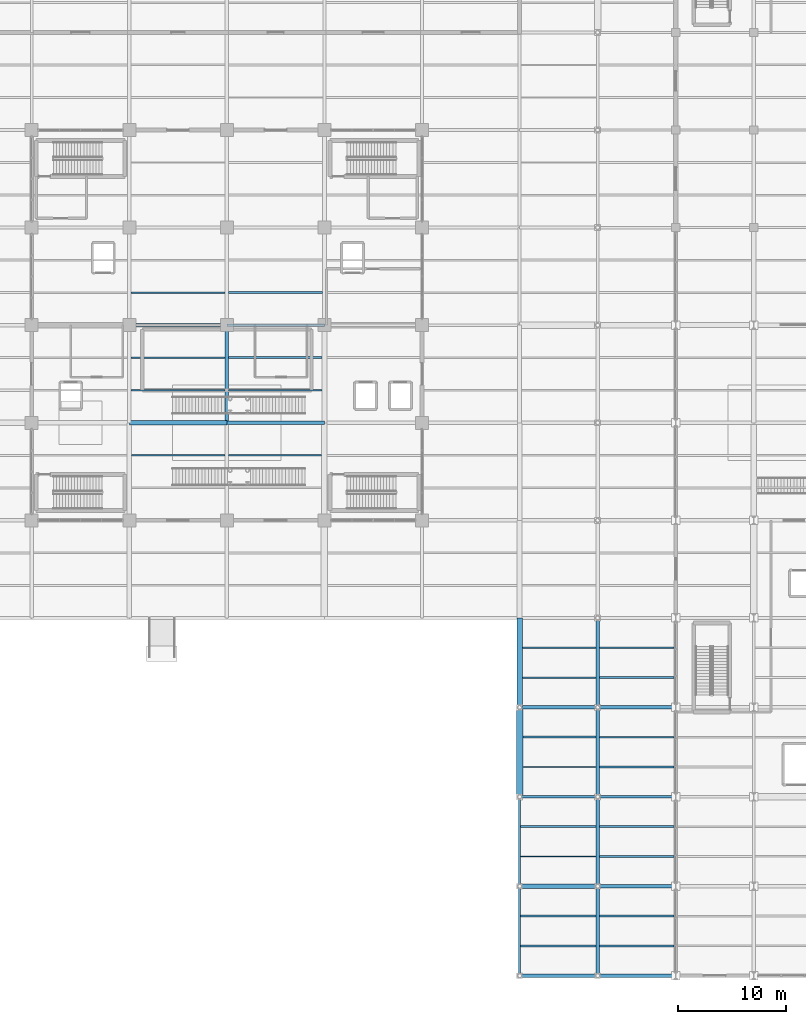
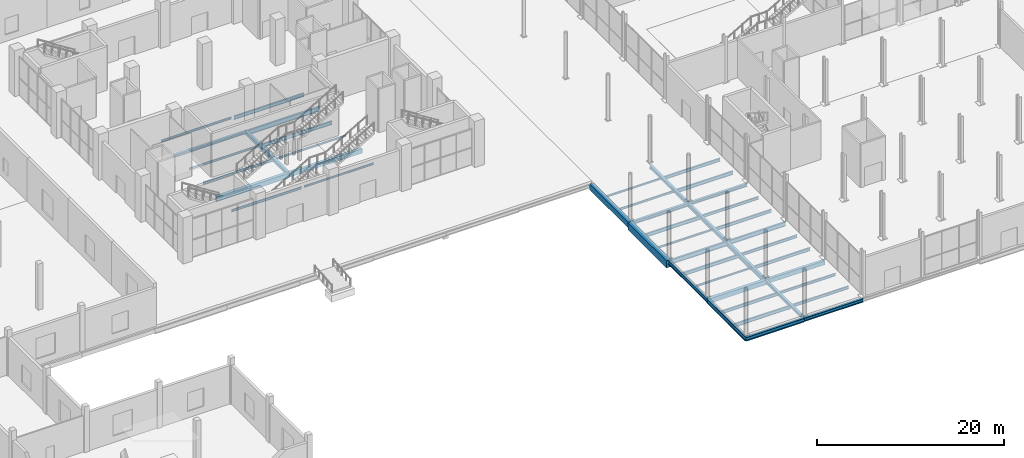
# One storey, part 23 of 144: 45 beams.
"""IFC4 building model written with IfcOpenShell, lengths in metres."""

from ifc_helpers import new_model, si_unit, direction, frame, origin, origin_2d, place, context, subcontext, project, spatial, rectangle, i_section, extrude, material, material_profile, profile_set, type_object, element, save


model = new_model("IFC4")

# Units and contexts
model_context = context("Model", 3, precision=1e-05, world=origin(), true_north=direction((0.0, 1.0)))
body_context = subcontext(model_context, "Body", "Model", "MODEL_VIEW")
ifc_project = project(units=[si_unit("LENGTHUNIT", "METRE"), si_unit("AREAUNIT", "SQUARE_METRE"), si_unit("VOLUMEUNIT", "CUBIC_METRE"), si_unit("PLANEANGLEUNIT", "RADIAN"), si_unit("MASSUNIT", "GRAM", prefix="KILO")], contexts=[model_context])

# Site, building, storey
site_placement = place(None, origin())
site = spatial("IfcSite", under=ifc_project, at=site_placement, CompositionType="ELEMENT")
building_placement = place(site_placement, origin())
building = spatial("IfcBuilding", under=site, at=building_placement, Name="Sundgate Opera House", CompositionType="ELEMENT")
storey_placement = place(building_placement, origin())
storey = spatial("IfcBuildingStorey", under=building, at=storey_placement, Name="L00", CompositionType="ELEMENT", Elevation=0.0)

# Beams
ifc_material_1 = material(Name="Steel S355J2", Category="steel")
ifc_material_profile_1 = material_profile(ifc_material_1, i_section(OverallWidth=0.300048828125, OverallDepth=0.330078125, WebThickness=0.009521484375, FlangeThickness=0.0166015625, at=origin_2d()), Name="HEA 340")
ifc_profile_set_1 = profile_set([ifc_material_profile_1], Name="Steel S355J2")
beam_type_1 = type_object("IfcBeamType", Name="BM-GR-HEA340", PredefinedType="BEAM", material=ifc_profile_set_1)
beam_1_placement = place(storey_placement, frame((45.0, 60.0, -0.485107421875), z_axis=(1.0, 0.0, 0.0), x_axis=(0.0, 1.0, 0.0)))
element("IfcBeam", 1, at=beam_1_placement, inside=storey, type_object=beam_type_1, Name="L00 Primary E-W Girder B0445", PredefinedType="BEAM", context=body_context, shape_type="SweptSolid", body=[
    extrude(i_section(OverallWidth=0.300048828125, OverallDepth=0.330078125, WebThickness=0.009521484375, FlangeThickness=0.0166015625, at=origin_2d()), origin(), (0.0, 0.0, 1.0), 9.0),
])
ifc_material_2 = material(Name="Steel S355J2", Category="steel")
ifc_material_profile_2 = material_profile(ifc_material_2, i_section(OverallWidth=0.300048828125, OverallDepth=0.43994140625, WebThickness=0.011474609375, FlangeThickness=0.02099609375, at=origin_2d()), Name="HEA 450")
ifc_profile_set_2 = profile_set([ifc_material_profile_2], Name="Steel S355J2")
beam_type_2 = type_object("IfcBeamType", Name="BM-GR-HEA450", PredefinedType="BEAM", material=ifc_profile_set_2)
beam_2_placement = place(storey_placement, frame((88.199951171875, 24.75, -0.5400390625), z_axis=(0.0, 1.0, 0.0), x_axis=(-1.0, 0.0, 0.0)))
element("IfcBeam", 2, at=beam_2_placement, inside=storey, type_object=beam_type_2, Name="L00 Primary N-S Girder B0179", PredefinedType="BEAM", context=body_context, shape_type="SweptSolid", body=[
    extrude(i_section(OverallWidth=0.300048828125, OverallDepth=0.43994140625, WebThickness=0.011474609375, FlangeThickness=0.02099609375, at=origin_2d()), origin(), (0.0, 0.0, 1.0), 8.25),
])
ifc_material_3 = material(Name="Steel S355J2", Category="steel")
ifc_material_profile_3 = material_profile(ifc_material_3, i_section(OverallWidth=0.300048828125, OverallDepth=0.489990234375, WebThickness=0.011962890625, FlangeThickness=0.02294921875, at=origin_2d()), Name="HEA 500")
ifc_profile_set_3 = profile_set([ifc_material_profile_3], Name="Steel S355J2")
beam_type_3 = type_object("IfcBeamType", Name="BM-GR-HEA500", PredefinedType="BEAM", material=ifc_profile_set_3)
beam_3_placement = place(storey_placement, frame((54.0, 51.0, -0.56494140625), z_axis=(0.0, 1.0, 0.0), x_axis=(-1.0, 0.0, 0.0)))
element("IfcBeam", 3, at=beam_3_placement, inside=storey, type_object=beam_type_3, Name="L00 Primary N-S Girder B0134", PredefinedType="BEAM", context=body_context, shape_type="SweptSolid", body=[
    extrude(i_section(OverallWidth=0.300048828125, OverallDepth=0.489990234375, WebThickness=0.011962890625, FlangeThickness=0.02294921875, at=origin_2d()), origin(), (0.0, 0.0, 1.0), 9.0),
])
beam_4_placement = place(storey_placement, frame((88.199951171875, 16.5, -0.56494140625), z_axis=(0.0, 1.0, 0.0), x_axis=(-1.0, 0.0, 0.0)))
element("IfcBeam", 4, at=beam_4_placement, inside=storey, type_object=beam_type_3, Name="L00 Primary N-S Girder B0178", PredefinedType="BEAM", context=body_context, shape_type="SweptSolid", body=[
    extrude(i_section(OverallWidth=0.300048828125, OverallDepth=0.489990234375, WebThickness=0.011962890625, FlangeThickness=0.02294921875, at=origin_2d()), origin(), (0.0, 0.0, 1.0), 8.25),
])
ifc_material_4 = material(Name="Steel S355J2", Category="steel")
ifc_material_profile_4 = material_profile(ifc_material_4, i_section(OverallWidth=0.300048828125, OverallDepth=0.590087890625, WebThickness=0.012939453125, FlangeThickness=0.02490234375, at=origin_2d()), Name="HEA 600")
ifc_profile_set_4 = profile_set([ifc_material_profile_4], Name="Steel S355J2")
beam_type_4 = type_object("IfcBeamType", Name="BM-GR-HEA600", PredefinedType="BEAM", material=ifc_profile_set_4)
beam_5_placement = place(storey_placement, frame((88.199951171875, 8.25, -0.614990234375), z_axis=(0.0, 1.0, 0.0), x_axis=(-1.0, 0.0, 0.0)))
element("IfcBeam", 5, at=beam_5_placement, inside=storey, type_object=beam_type_4, Name="L00 Primary N-S Girder B0177", PredefinedType="BEAM", context=body_context, shape_type="SweptSolid", body=[
    extrude(i_section(OverallWidth=0.300048828125, OverallDepth=0.590087890625, WebThickness=0.012939453125, FlangeThickness=0.02490234375, at=origin_2d()), origin(), (0.0, 0.0, 1.0), 8.25),
])
ifc_material_5 = material(Name="Steel S355J2", Category="steel")
ifc_material_profile_5 = material_profile(ifc_material_5, i_section(OverallWidth=0.300048828125, OverallDepth=0.360107421875, WebThickness=0.012451171875, FlangeThickness=0.0224609375, at=origin_2d()), Name="HEB 360")
ifc_profile_set_5 = profile_set([ifc_material_profile_5], Name="Steel S355J2")
beam_type_5 = type_object("IfcBeamType", Name="BM-GR-HEB360", PredefinedType="BEAM", material=ifc_profile_set_5)
beam_6_placement = place(storey_placement, frame((88.199951171875, 0.0, -0.5), z_axis=(0.0, 1.0, 0.0), x_axis=(-1.0, 0.0, 0.0)))
element("IfcBeam", 6, at=beam_6_placement, inside=storey, type_object=beam_type_5, Name="L00 Primary N-S Girder B0176", PredefinedType="BEAM", context=body_context, shape_type="SweptSolid", body=[
    extrude(i_section(OverallWidth=0.300048828125, OverallDepth=0.360107421875, WebThickness=0.012451171875, FlangeThickness=0.0224609375, at=origin_2d()), origin(), (0.0, 0.0, 1.0), 8.25),
])
beam_7_placement = place(storey_placement, frame((88.199951171875, 24.75, -0.5), z_axis=(1.0, 0.0, 0.0), x_axis=(0.0, 1.0, 0.0)))
element("IfcBeam", 7, at=beam_7_placement, inside=storey, type_object=beam_type_5, Name="L00 Primary E-W Girder B0373", PredefinedType="BEAM", context=body_context, shape_type="SweptSolid", body=[
    extrude(i_section(OverallWidth=0.300048828125, OverallDepth=0.360107421875, WebThickness=0.012451171875, FlangeThickness=0.0224609375, at=origin_2d()), origin(), (0.0, 0.0, 1.0), 7.199951171875),
])
ifc_material_6 = material(Name="Steel S355J2", Category="steel")
ifc_material_profile_6 = material_profile(ifc_material_6, i_section(OverallWidth=0.300048828125, OverallDepth=0.39990234375, WebThickness=0.013427734375, FlangeThickness=0.02392578125, at=origin_2d()), Name="HEB 400")
ifc_profile_set_6 = profile_set([ifc_material_profile_6], Name="Steel S355J2")
beam_type_6 = type_object("IfcBeamType", Name="BM-GR-HEB400", PredefinedType="BEAM", material=ifc_profile_set_6)
beam_8_placement = place(storey_placement, frame((81.0, 24.75, -0.52001953125), z_axis=(1.0, 0.0, 0.0), x_axis=(0.0, 1.0, 0.0)))
element("IfcBeam", 8, at=beam_8_placement, inside=storey, type_object=beam_type_6, Name="L00 Primary E-W Girder B0372", PredefinedType="BEAM", context=body_context, shape_type="SweptSolid", body=[
    extrude(i_section(OverallWidth=0.300048828125, OverallDepth=0.39990234375, WebThickness=0.013427734375, FlangeThickness=0.02392578125, at=origin_2d()), origin(), (0.0, 0.0, 1.0), 7.199951171875),
])
ifc_material_7 = material(Name="Steel S355J2", Category="steel")
ifc_material_profile_7 = material_profile(ifc_material_7, i_section(OverallWidth=0.300048828125, OverallDepth=0.449951171875, WebThickness=0.013916015625, FlangeThickness=0.02587890625, at=origin_2d()), Name="HEB 450")
ifc_profile_set_7 = profile_set([ifc_material_profile_7], Name="Steel S355J2")
beam_type_7 = type_object("IfcBeamType", Name="BM-GR-HEB450", PredefinedType="BEAM", material=ifc_profile_set_7)
beam_9_placement = place(storey_placement, frame((88.199951171875, 0.0, -0.544921875), z_axis=(1.0, 0.0, 0.0), x_axis=(0.0, 1.0, 0.0)))
element("IfcBeam", 9, at=beam_9_placement, inside=storey, type_object=beam_type_7, Name="L00 Primary E-W Girder B0327", PredefinedType="BEAM", context=body_context, shape_type="SweptSolid", body=[
    extrude(i_section(OverallWidth=0.300048828125, OverallDepth=0.449951171875, WebThickness=0.013916015625, FlangeThickness=0.02587890625, at=origin_2d()), origin(), (0.0, 0.0, 1.0), 7.199951171875),
])
ifc_material_8 = material(Name="Steel S355J2", Category="steel")
ifc_material_profile_8 = material_profile(ifc_material_8, i_section(OverallWidth=0.300048828125, OverallDepth=0.5, WebThickness=0.014404296875, FlangeThickness=0.028076171875, at=origin_2d()), Name="HEB 500")
ifc_profile_set_8 = profile_set([ifc_material_profile_8], Name="Steel S355J2")
beam_type_8 = type_object("IfcBeamType", Name="BM-GR-HEB500", PredefinedType="BEAM", material=ifc_profile_set_8)
beam_10_placement = place(storey_placement, frame((81.0, 0.0, -0.570068359375), z_axis=(1.0, 0.0, 0.0), x_axis=(0.0, 1.0, 0.0)))
element("IfcBeam", 10, at=beam_10_placement, inside=storey, type_object=beam_type_8, Name="L00 Primary E-W Girder B0326", PredefinedType="BEAM", context=body_context, shape_type="SweptSolid", body=[
    extrude(i_section(OverallWidth=0.300048828125, OverallDepth=0.5, WebThickness=0.014404296875, FlangeThickness=0.028076171875, at=origin_2d()), origin(), (0.0, 0.0, 1.0), 7.199951171875),
])
ifc_material_9 = material(Name="Steel S355J2", Category="steel")
ifc_material_profile_9 = material_profile(ifc_material_9, i_section(OverallWidth=0.199951171875, OverallDepth=0.5, WebThickness=0.01025390625, FlangeThickness=0.01611328125, at=origin_2d()), Name="IPE 500")
ifc_profile_set_9 = profile_set([ifc_material_profile_9], Name="Steel S355J2")
beam_type_9 = type_object("IfcBeamType", Name="BM-GR-IPE500", PredefinedType="BEAM", material=ifc_profile_set_9)
beam_11_placement = place(storey_placement, frame((81.0, 8.25, -0.570068359375), z_axis=(0.0, 1.0, 0.0), x_axis=(-1.0, 0.0, 0.0)))
element("IfcBeam", 11, at=beam_11_placement, inside=storey, type_object=beam_type_9, Name="L00 Primary N-S Girder B0163", PredefinedType="BEAM", context=body_context, shape_type="SweptSolid", body=[
    extrude(i_section(OverallWidth=0.199951171875, OverallDepth=0.5, WebThickness=0.01025390625, FlangeThickness=0.01611328125, at=origin_2d()), origin(), (0.0, 0.0, 1.0), 8.25),
])
ifc_material_10 = material(Name="Steel S355J2", Category="steel")
ifc_material_profile_10 = material_profile(ifc_material_10, i_section(OverallWidth=0.2099609375, OverallDepth=0.550048828125, WebThickness=0.010986328125, FlangeThickness=0.01708984375, at=origin_2d()), Name="IPE 550")
ifc_profile_set_10 = profile_set([ifc_material_profile_10], Name="Steel S355J2")
beam_type_10 = type_object("IfcBeamType", Name="BM-GR-IPE550", PredefinedType="BEAM", material=ifc_profile_set_10)
beam_12_placement = place(storey_placement, frame((81.0, 0.0, -0.594970703125), z_axis=(0.0, 1.0, 0.0), x_axis=(-1.0, 0.0, 0.0)))
element("IfcBeam", 12, at=beam_12_placement, inside=storey, type_object=beam_type_10, Name="L00 Primary N-S Girder B0162", PredefinedType="BEAM", context=body_context, shape_type="SweptSolid", body=[
    extrude(i_section(OverallWidth=0.2099609375, OverallDepth=0.550048828125, WebThickness=0.010986328125, FlangeThickness=0.01708984375, at=origin_2d()), origin(), (0.0, 0.0, 1.0), 8.25),
])
beam_13_placement = place(storey_placement, frame((88.199951171875, 16.5, -0.594970703125), z_axis=(1.0, 0.0, 0.0), x_axis=(0.0, 1.0, 0.0)))
element("IfcBeam", 13, at=beam_13_placement, inside=storey, type_object=beam_type_10, Name="L00 Primary E-W Girder B0359", PredefinedType="BEAM", context=body_context, shape_type="SweptSolid", body=[
    extrude(i_section(OverallWidth=0.2099609375, OverallDepth=0.550048828125, WebThickness=0.010986328125, FlangeThickness=0.01708984375, at=origin_2d()), origin(), (0.0, 0.0, 1.0), 7.199951171875),
])
ifc_material_11 = material(Name="Steel S355J2", Category="steel")
ifc_material_profile_11 = material_profile(ifc_material_11, i_section(OverallWidth=0.219970703125, OverallDepth=0.60009765625, WebThickness=0.011962890625, FlangeThickness=0.01904296875, at=origin_2d()), Name="IPE 600")
ifc_profile_set_11 = profile_set([ifc_material_profile_11], Name="Steel S355J2")
beam_type_11 = type_object("IfcBeamType", Name="BM-GR-IPE600", PredefinedType="BEAM", material=ifc_profile_set_11)
beam_14_placement = place(storey_placement, frame((81.0, 16.5, -0.6201171875), z_axis=(1.0, 0.0, 0.0), x_axis=(0.0, 1.0, 0.0)))
element("IfcBeam", 14, at=beam_14_placement, inside=storey, type_object=beam_type_11, Name="L00 Primary E-W Girder B0358", PredefinedType="BEAM", context=body_context, shape_type="SweptSolid", body=[
    extrude(i_section(OverallWidth=0.219970703125, OverallDepth=0.60009765625, WebThickness=0.011962890625, FlangeThickness=0.01904296875, at=origin_2d()), origin(), (0.0, 0.0, 1.0), 7.199951171875),
])
beam_15_placement = place(storey_placement, frame((54.0, 60.0, -0.6201171875), z_axis=(1.0, 0.0, 0.0), x_axis=(0.0, 1.0, 0.0)))
element("IfcBeam", 15, at=beam_15_placement, inside=storey, type_object=beam_type_11, Name="L00 Primary E-W Girder B0446", PredefinedType="BEAM", context=body_context, shape_type="SweptSolid", body=[
    extrude(i_section(OverallWidth=0.219970703125, OverallDepth=0.60009765625, WebThickness=0.011962890625, FlangeThickness=0.01904296875, at=origin_2d()), origin(), (0.0, 0.0, 1.0), 9.0),
])
ifc_material_12 = material(Name="Steel S355J2", Category="steel")
ifc_material_profile_12 = material_profile(ifc_material_12, i_section(OverallWidth=0.1201171875, OverallDepth=0.239990234375, WebThickness=0.006103515625, FlangeThickness=0.009765625, at=origin_2d()), Name="IPE 240")
ifc_profile_set_12 = profile_set([ifc_material_profile_12], Name="Steel S355J2")
beam_type_12 = type_object("IfcBeamType", Name="BM-JS-IPE240", PredefinedType="JOIST", material=ifc_profile_set_12)
beam_16_placement = place(storey_placement, frame((81.10009765625, 11.0, -0.43994140625), z_axis=(1.0, 0.0, 0.0), x_axis=(0.0, 1.0, 0.0)))
element("IfcBeam", 16, at=beam_16_placement, inside=storey, type_object=beam_type_12, Name="L00 Secondary Floor Joist B0629", PredefinedType="JOIST", context=body_context, shape_type="SweptSolid", body=[
    extrude(i_section(OverallWidth=0.1201171875, OverallDepth=0.239990234375, WebThickness=0.006103515625, FlangeThickness=0.009765625, at=origin_2d()), origin(), (0.0, 0.0, 1.0), 6.949951171875),
])
beam_17_placement = place(storey_placement, frame((81.300048828125, 19.25, -0.43994140625), z_axis=(1.0, 0.0, 0.0), x_axis=(0.0, 1.0, 0.0)))
element("IfcBeam", 17, at=beam_17_placement, inside=storey, type_object=beam_type_12, Name="L00 Secondary Floor Joist B0657", PredefinedType="JOIST", context=body_context, shape_type="SweptSolid", body=[
    extrude(i_section(OverallWidth=0.1201171875, OverallDepth=0.239990234375, WebThickness=0.006103515625, FlangeThickness=0.009765625, at=origin_2d()), origin(), (0.0, 0.0, 1.0), 6.75),
])
beam_18_placement = place(storey_placement, frame((81.25, 30.25, -0.43994140625), z_axis=(1.0, 0.0, 0.0), x_axis=(0.0, 1.0, 0.0)))
element("IfcBeam", 18, at=beam_18_placement, inside=storey, type_object=beam_type_12, Name="L00 Secondary Floor Joist B0685", PredefinedType="JOIST", context=body_context, shape_type="SweptSolid", body=[
    extrude(i_section(OverallWidth=0.1201171875, OverallDepth=0.239990234375, WebThickness=0.006103515625, FlangeThickness=0.009765625, at=origin_2d()), origin(), (0.0, 0.0, 1.0), 6.800048828125),
])
beam_19_placement = place(storey_placement, frame((54.14990234375, 48.0, -0.43994140625), z_axis=(1.0, 0.0, 0.0), x_axis=(0.0, 1.0, 0.0)))
element("IfcBeam", 19, at=beam_19_placement, inside=storey, type_object=beam_type_12, Name="L00 Secondary Floor Joist B0755", PredefinedType="JOIST", context=body_context, shape_type="SweptSolid", body=[
    extrude(i_section(OverallWidth=0.1201171875, OverallDepth=0.239990234375, WebThickness=0.006103515625, FlangeThickness=0.009765625, at=origin_2d()), origin(), (0.0, 0.0, 1.0), 8.60009765625),
])
beam_20_placement = place(storey_placement, frame((54.14990234375, 54.0, -0.43994140625), z_axis=(1.0, 0.0, 0.0), x_axis=(0.0, 1.0, 0.0)))
element("IfcBeam", 20, at=beam_20_placement, inside=storey, type_object=beam_type_12, Name="L00 Secondary Floor Joist B0783", PredefinedType="JOIST", context=body_context, shape_type="SweptSolid", body=[
    extrude(i_section(OverallWidth=0.1201171875, OverallDepth=0.239990234375, WebThickness=0.006103515625, FlangeThickness=0.009765625, at=origin_2d()), origin(), (0.0, 0.0, 1.0), 8.625),
])
ifc_material_13 = material(Name="Steel S355J2", Category="steel")
ifc_material_profile_13 = material_profile(ifc_material_13, i_section(OverallWidth=0.135009765625, OverallDepth=0.27001953125, WebThickness=0.006591796875, FlangeThickness=0.01025390625, at=origin_2d()), Name="IPE 270")
ifc_profile_set_13 = profile_set([ifc_material_profile_13], Name="Steel S355J2")
beam_type_13 = type_object("IfcBeamType", Name="BM-JS-IPE270", PredefinedType="JOIST", material=ifc_profile_set_13)
beam_21_placement = place(storey_placement, frame((81.25, 27.5, -0.455078125), z_axis=(1.0, 0.0, 0.0), x_axis=(0.0, 1.0, 0.0)))
element("IfcBeam", 21, at=beam_21_placement, inside=storey, type_object=beam_type_13, Name="L00 Secondary Floor Joist B0684", PredefinedType="JOIST", context=body_context, shape_type="SweptSolid", body=[
    extrude(i_section(OverallWidth=0.135009765625, OverallDepth=0.27001953125, WebThickness=0.006591796875, FlangeThickness=0.01025390625, at=origin_2d()), origin(), (0.0, 0.0, 1.0), 6.800048828125),
])
beam_22_placement = place(storey_placement, frame((45.175048828125, 57.0, -0.455078125), z_axis=(1.0, 0.0, 0.0), x_axis=(0.0, 1.0, 0.0)))
element("IfcBeam", 22, at=beam_22_placement, inside=storey, type_object=beam_type_13, Name="L00 Secondary Floor Joist B0782", PredefinedType="JOIST", context=body_context, shape_type="SweptSolid", body=[
    extrude(i_section(OverallWidth=0.135009765625, OverallDepth=0.27001953125, WebThickness=0.006591796875, FlangeThickness=0.01025390625, at=origin_2d()), origin(), (0.0, 0.0, 1.0), 8.675048828125),
])
beam_23_placement = place(storey_placement, frame((45.14990234375, 63.0, -0.455078125), z_axis=(1.0, 0.0, 0.0), x_axis=(0.0, 1.0, 0.0)))
element("IfcBeam", 23, at=beam_23_placement, inside=storey, type_object=beam_type_13, Name="L00 Secondary Floor Joist B0810", PredefinedType="JOIST", context=body_context, shape_type="SweptSolid", body=[
    extrude(i_section(OverallWidth=0.135009765625, OverallDepth=0.27001953125, WebThickness=0.006591796875, FlangeThickness=0.01025390625, at=origin_2d()), origin(), (0.0, 0.0, 1.0), 8.7001953125),
])
ifc_material_14 = material(Name="Steel S355J2", Category="steel")
ifc_material_profile_14 = material_profile(ifc_material_14, i_section(OverallWidth=0.14990234375, OverallDepth=0.300048828125, WebThickness=0.007080078125, FlangeThickness=0.0107421875, at=origin_2d()), Name="IPE 300")
ifc_profile_set_14 = profile_set([ifc_material_profile_14], Name="Steel S355J2")
beam_type_14 = type_object("IfcBeamType", Name="BM-JS-IPE300", PredefinedType="JOIST", material=ifc_profile_set_14)
beam_24_placement = place(storey_placement, frame((45.199951171875, 48.0, -0.469970703125), z_axis=(1.0, 0.0, 0.0), x_axis=(0.0, 1.0, 0.0)))
element("IfcBeam", 24, at=beam_24_placement, inside=storey, type_object=beam_type_14, Name="L00 Secondary Floor Joist B0753", PredefinedType="JOIST", context=body_context, shape_type="SweptSolid", body=[
    extrude(i_section(OverallWidth=0.14990234375, OverallDepth=0.300048828125, WebThickness=0.007080078125, FlangeThickness=0.0107421875, at=origin_2d()), origin(), (0.0, 0.0, 1.0), 8.650146484375),
])
beam_25_placement = place(storey_placement, frame((45.175048828125, 54.0, -0.469970703125), z_axis=(1.0, 0.0, 0.0), x_axis=(0.0, 1.0, 0.0)))
element("IfcBeam", 25, at=beam_25_placement, inside=storey, type_object=beam_type_14, Name="L00 Secondary Floor Joist B0781", PredefinedType="JOIST", context=body_context, shape_type="SweptSolid", body=[
    extrude(i_section(OverallWidth=0.14990234375, OverallDepth=0.300048828125, WebThickness=0.007080078125, FlangeThickness=0.0107421875, at=origin_2d()), origin(), (0.0, 0.0, 1.0), 8.675048828125),
])
ifc_material_15 = material(Name="Steel S355J2", Category="steel")
ifc_material_profile_15 = material_profile(ifc_material_15, i_section(OverallWidth=0.159912109375, OverallDepth=0.330078125, WebThickness=0.007568359375, FlangeThickness=0.011474609375, at=origin_2d()), Name="IPE 330")
ifc_profile_set_15 = profile_set([ifc_material_profile_15], Name="Steel S355J2")
beam_type_15 = type_object("IfcBeamType", Name="BM-JS-IPE330", PredefinedType="JOIST", material=ifc_profile_set_15)
beam_26_placement = place(storey_placement, frame((88.35009765625, 5.5, -0.485107421875), z_axis=(1.0, 0.0, 0.0), x_axis=(0.0, 1.0, 0.0)))
element("IfcBeam", 26, at=beam_26_placement, inside=storey, type_object=beam_type_15, Name="L00 Secondary Floor Joist B0612", PredefinedType="JOIST", context=body_context, shape_type="SweptSolid", body=[
    extrude(i_section(OverallWidth=0.159912109375, OverallDepth=0.330078125, WebThickness=0.007568359375, FlangeThickness=0.011474609375, at=origin_2d()), origin(), (0.0, 0.0, 1.0), 6.875),
])
ifc_material_16 = material(Name="Steel S355J2", Category="steel")
ifc_material_profile_16 = material_profile(ifc_material_16, i_section(OverallWidth=0.169921875, OverallDepth=0.360107421875, WebThickness=0.008056640625, FlangeThickness=0.0126953125, at=origin_2d()), Name="IPE 360")
ifc_profile_set_16 = profile_set([ifc_material_profile_16], Name="Steel S355J2")
beam_type_16 = type_object("IfcBeamType", Name="BM-JS-IPE360", PredefinedType="JOIST", material=ifc_profile_set_16)
beam_27_placement = place(storey_placement, frame((88.35009765625, 2.75, -0.5), z_axis=(1.0, 0.0, 0.0), x_axis=(0.0, 1.0, 0.0)))
element("IfcBeam", 27, at=beam_27_placement, inside=storey, type_object=beam_type_16, Name="L00 Secondary Floor Joist B0611", PredefinedType="JOIST", context=body_context, shape_type="SweptSolid", body=[
    extrude(i_section(OverallWidth=0.169921875, OverallDepth=0.360107421875, WebThickness=0.008056640625, FlangeThickness=0.0126953125, at=origin_2d()), origin(), (0.0, 0.0, 1.0), 6.875),
])
for number, where, z_axis, x_axis, name in (
    (28, (88.35009765625, 13.75, -0.5), (1.0, 0.0, 0.0), (0.0, 1.0, 0.0), "L00 Secondary Floor Joist B0632"),
    (29, (88.35009765625, 22.0, -0.5), (1.0, 0.0, 0.0), (0.0, 1.0, 0.0), "L00 Secondary Floor Joist B0660"),
):
    element("IfcBeam", number, at=place(storey_placement, frame(where, z_axis=z_axis, x_axis=x_axis)), inside=storey, type_object=beam_type_16, Name=name, PredefinedType="JOIST", context=body_context, shape_type="SweptSolid", body=[
        extrude(i_section(OverallWidth=0.169921875, OverallDepth=0.360107421875, WebThickness=0.008056640625, FlangeThickness=0.0126953125, at=origin_2d()), origin(), (0.0, 0.0, 1.0), 6.89990234375),
    ])
ifc_material_17 = material(Name="Steel S355J2", Category="steel")
ifc_material_profile_17 = material_profile(ifc_material_17, i_section(OverallWidth=0.179931640625, OverallDepth=0.39990234375, WebThickness=0.008544921875, FlangeThickness=0.013427734375, at=origin_2d()), Name="IPE 400")
ifc_profile_set_17 = profile_set([ifc_material_profile_17], Name="Steel S355J2")
beam_type_17 = type_object("IfcBeamType", Name="BM-JS-IPE400", PredefinedType="JOIST", material=ifc_profile_set_17)
beam_28_placement = place(storey_placement, frame((81.10498046875, 5.5, -0.52001953125), z_axis=(1.0, 0.0, 0.0), x_axis=(0.0, 1.0, 0.0)))
element("IfcBeam", 30, at=beam_28_placement, inside=storey, type_object=beam_type_17, Name="L00 Secondary Floor Joist B0610", PredefinedType="JOIST", context=body_context, shape_type="SweptSolid", body=[
    extrude(i_section(OverallWidth=0.179931640625, OverallDepth=0.39990234375, WebThickness=0.008544921875, FlangeThickness=0.013427734375, at=origin_2d()), origin(), (0.0, 0.0, 1.0), 6.945068359375),
])
for number, where, z_axis, x_axis, name in (
    (31, (88.35009765625, 11.0, -0.52001953125), (1.0, 0.0, 0.0), (0.0, 1.0, 0.0), "L00 Secondary Floor Joist B0631"),
    (32, (88.35009765625, 19.25, -0.52001953125), (1.0, 0.0, 0.0), (0.0, 1.0, 0.0), "L00 Secondary Floor Joist B0659"),
    (33, (88.35009765625, 30.25, -0.52001953125), (1.0, 0.0, 0.0), (0.0, 1.0, 0.0), "L00 Secondary Floor Joist B0687"),
):
    element("IfcBeam", number, at=place(storey_placement, frame(where, z_axis=z_axis, x_axis=x_axis)), inside=storey, type_object=beam_type_17, Name=name, PredefinedType="JOIST", context=body_context, shape_type="SweptSolid", body=[
        extrude(i_section(OverallWidth=0.179931640625, OverallDepth=0.39990234375, WebThickness=0.008544921875, FlangeThickness=0.013427734375, at=origin_2d()), origin(), (0.0, 0.0, 1.0), 6.89990234375),
    ])
ifc_material_18 = material(Name="Steel S355J2", Category="steel")
ifc_material_profile_18 = material_profile(ifc_material_18, i_section(OverallWidth=0.18994140625, OverallDepth=0.449951171875, WebThickness=0.009521484375, FlangeThickness=0.0146484375, at=origin_2d()), Name="IPE 450")
ifc_profile_set_18 = profile_set([ifc_material_profile_18], Name="Steel S355J2")
beam_type_18 = type_object("IfcBeamType", Name="BM-JS-IPE450", PredefinedType="JOIST", material=ifc_profile_set_18)
beam_29_placement = place(storey_placement, frame((81.10498046875, 2.75, -0.544921875), z_axis=(1.0, 0.0, 0.0), x_axis=(0.0, 1.0, 0.0)))
element("IfcBeam", 34, at=beam_29_placement, inside=storey, type_object=beam_type_18, Name="L00 Secondary Floor Joist B0609", PredefinedType="JOIST", context=body_context, shape_type="SweptSolid", body=[
    extrude(i_section(OverallWidth=0.18994140625, OverallDepth=0.449951171875, WebThickness=0.009521484375, FlangeThickness=0.0146484375, at=origin_2d()), origin(), (0.0, 0.0, 1.0), 6.945068359375),
])
beam_30_placement = place(storey_placement, frame((81.10009765625, 13.75, -0.544921875), z_axis=(1.0, 0.0, 0.0), x_axis=(0.0, 1.0, 0.0)))
element("IfcBeam", 35, at=beam_30_placement, inside=storey, type_object=beam_type_18, Name="L00 Secondary Floor Joist B0630", PredefinedType="JOIST", context=body_context, shape_type="SweptSolid", body=[
    extrude(i_section(OverallWidth=0.18994140625, OverallDepth=0.449951171875, WebThickness=0.009521484375, FlangeThickness=0.0146484375, at=origin_2d()), origin(), (0.0, 0.0, 1.0), 6.949951171875),
])
beam_31_placement = place(storey_placement, frame((81.300048828125, 22.0, -0.544921875), z_axis=(1.0, 0.0, 0.0), x_axis=(0.0, 1.0, 0.0)))
element("IfcBeam", 36, at=beam_31_placement, inside=storey, type_object=beam_type_18, Name="L00 Secondary Floor Joist B0658", PredefinedType="JOIST", context=body_context, shape_type="SweptSolid", body=[
    extrude(i_section(OverallWidth=0.18994140625, OverallDepth=0.449951171875, WebThickness=0.009521484375, FlangeThickness=0.0146484375, at=origin_2d()), origin(), (0.0, 0.0, 1.0), 6.75),
])
beam_32_placement = place(storey_placement, frame((88.35009765625, 27.5, -0.544921875), z_axis=(1.0, 0.0, 0.0), x_axis=(0.0, 1.0, 0.0)))
element("IfcBeam", 37, at=beam_32_placement, inside=storey, type_object=beam_type_18, Name="L00 Secondary Floor Joist B0686", PredefinedType="JOIST", context=body_context, shape_type="SweptSolid", body=[
    extrude(i_section(OverallWidth=0.18994140625, OverallDepth=0.449951171875, WebThickness=0.009521484375, FlangeThickness=0.0146484375, at=origin_2d()), origin(), (0.0, 0.0, 1.0), 6.89990234375),
])
beam_33_placement = place(storey_placement, frame((54.14990234375, 57.0, -0.544921875), z_axis=(1.0, 0.0, 0.0), x_axis=(0.0, 1.0, 0.0)))
element("IfcBeam", 38, at=beam_33_placement, inside=storey, type_object=beam_type_18, Name="L00 Secondary Floor Joist B0784", PredefinedType="JOIST", context=body_context, shape_type="SweptSolid", body=[
    extrude(i_section(OverallWidth=0.18994140625, OverallDepth=0.449951171875, WebThickness=0.009521484375, FlangeThickness=0.0146484375, at=origin_2d()), origin(), (0.0, 0.0, 1.0), 8.625),
])
beam_34_placement = place(storey_placement, frame((54.14990234375, 63.0, -0.544921875), z_axis=(1.0, 0.0, 0.0), x_axis=(0.0, 1.0, 0.0)))
element("IfcBeam", 39, at=beam_34_placement, inside=storey, type_object=beam_type_18, Name="L00 Secondary Floor Joist B0812", PredefinedType="JOIST", context=body_context, shape_type="SweptSolid", body=[
    extrude(i_section(OverallWidth=0.18994140625, OverallDepth=0.449951171875, WebThickness=0.009521484375, FlangeThickness=0.0146484375, at=origin_2d()), origin(), (0.0, 0.0, 1.0), 8.650146484375),
])
ifc_material_19 = material(Name="Concrete C35/45", Category="concrete")
ifc_material_profile_19 = material_profile(ifc_material_19, rectangle(XDim=0.35009765625, YDim=0.550048828125, at=origin_2d()), Name="RC 350x550")
ifc_profile_set_19 = profile_set([ifc_material_profile_19], Name="Concrete C35/45")
beam_type_19 = type_object("IfcBeamType", Name="BM-RC-350x550", PredefinedType="BEAM", material=ifc_profile_set_19)
beam_35_placement = place(storey_placement, frame((88.199951171875, 8.25, -0.594970703125), z_axis=(1.0, 0.0, 0.0), x_axis=(0.0, 1.0, 0.0)))
element("IfcBeam", 40, at=beam_35_placement, inside=storey, type_object=beam_type_19, Name="L00 Primary E-W Girder B0343", PredefinedType="BEAM", context=body_context, shape_type="SweptSolid", body=[
    extrude(rectangle(XDim=0.35009765625, YDim=0.550048828125, at=origin_2d()), origin(), (0.0, 0.0, 1.0), 7.199951171875),
])
beam_36_placement = place(storey_placement, frame((54.0, 51.0, -0.594970703125), z_axis=(1.0, 0.0, 0.0), x_axis=(0.0, 1.0, 0.0)))
element("IfcBeam", 41, at=beam_36_placement, inside=storey, type_object=beam_type_19, Name="L00 Primary E-W Girder B0431", PredefinedType="BEAM", context=body_context, shape_type="SweptSolid", body=[
    extrude(rectangle(XDim=0.35009765625, YDim=0.550048828125, at=origin_2d()), origin(), (0.0, 0.0, 1.0), 9.0),
])
ifc_material_20 = material(Name="Concrete C35/45", Category="concrete")
ifc_material_profile_20 = material_profile(ifc_material_20, rectangle(XDim=0.39990234375, YDim=0.60009765625, at=origin_2d()), Name="RC 400x600")
ifc_profile_set_20 = profile_set([ifc_material_profile_20], Name="Concrete C35/45")
beam_type_20 = type_object("IfcBeamType", Name="BM-RC-400x600", PredefinedType="BEAM", material=ifc_profile_set_20)
beam_37_placement = place(storey_placement, frame((81.0, 8.25, -0.6201171875), z_axis=(1.0, 0.0, 0.0), x_axis=(0.0, 1.0, 0.0)))
element("IfcBeam", 42, at=beam_37_placement, inside=storey, type_object=beam_type_20, Name="L00 Primary E-W Girder B0342", PredefinedType="BEAM", context=body_context, shape_type="SweptSolid", body=[
    extrude(rectangle(XDim=0.39990234375, YDim=0.60009765625, at=origin_2d()), origin(), (0.0, 0.0, 1.0), 7.199951171875),
])
beam_38_placement = place(storey_placement, frame((45.0, 51.0, -0.6201171875), z_axis=(1.0, 0.0, 0.0), x_axis=(0.0, 1.0, 0.0)))
element("IfcBeam", 43, at=beam_38_placement, inside=storey, type_object=beam_type_20, Name="L00 Primary E-W Girder B0430", PredefinedType="BEAM", context=body_context, shape_type="SweptSolid", body=[
    extrude(rectangle(XDim=0.39990234375, YDim=0.60009765625, at=origin_2d()), origin(), (0.0, 0.0, 1.0), 9.0),
])
ifc_material_21 = material(Name="Concrete C40/50", Category="concrete")
ifc_material_profile_21 = material_profile(ifc_material_21, rectangle(XDim=0.5, YDim=0.75, at=origin_2d()), Name="RC 500x750")
ifc_profile_set_21 = profile_set([ifc_material_profile_21], Name="Concrete C40/50")
beam_type_21 = type_object("IfcBeamType", Name="BM-RC-500x750", PredefinedType="BEAM", material=ifc_profile_set_21)
beam_39_placement = place(storey_placement, frame((81.0, 24.75, -0.695068359375), z_axis=(0.0, 1.0, 0.0), x_axis=(-1.0, 0.0, 0.0)))
element("IfcBeam", 44, at=beam_39_placement, inside=storey, type_object=beam_type_21, Name="L00 Primary N-S Girder B0165", PredefinedType="BEAM", context=body_context, shape_type="SweptSolid", body=[
    extrude(rectangle(XDim=0.5, YDim=0.75, at=origin_2d()), origin(), (0.0, 0.0, 1.0), 8.25),
])
ifc_material_22 = material(Name="Concrete C40/50", Category="concrete")
ifc_material_profile_22 = material_profile(ifc_material_22, rectangle(XDim=0.60009765625, YDim=0.949951171875, at=origin_2d()), Name="RC 600x950")
ifc_profile_set_22 = profile_set([ifc_material_profile_22], Name="Concrete C40/50")
beam_type_22 = type_object("IfcBeamType", Name="BM-RC-600x950", PredefinedType="BEAM", material=ifc_profile_set_22)
beam_40_placement = place(storey_placement, frame((81.0, 16.5, -0.794921875), z_axis=(0.0, 1.0, 0.0), x_axis=(-1.0, 0.0, 0.0)))
element("IfcBeam", 45, at=beam_40_placement, inside=storey, type_object=beam_type_22, Name="L00 Primary N-S Girder B0164", PredefinedType="BEAM", context=body_context, shape_type="SweptSolid", body=[
    extrude(rectangle(XDim=0.60009765625, YDim=0.949951171875, at=origin_2d()), origin(), (0.0, 0.0, 1.0), 8.25),
])

save(model, "model.ifc")
